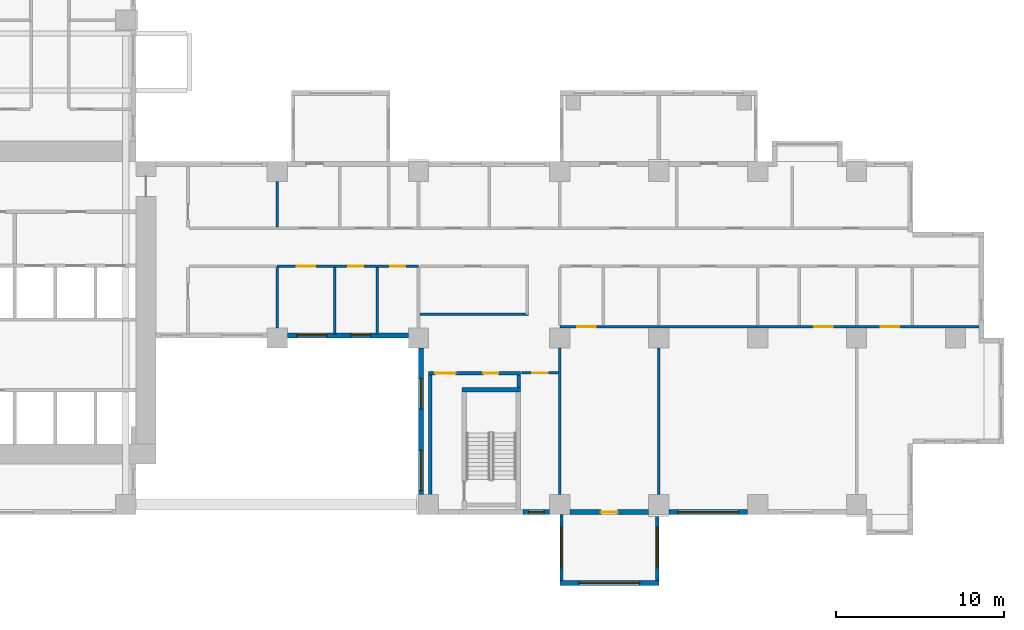
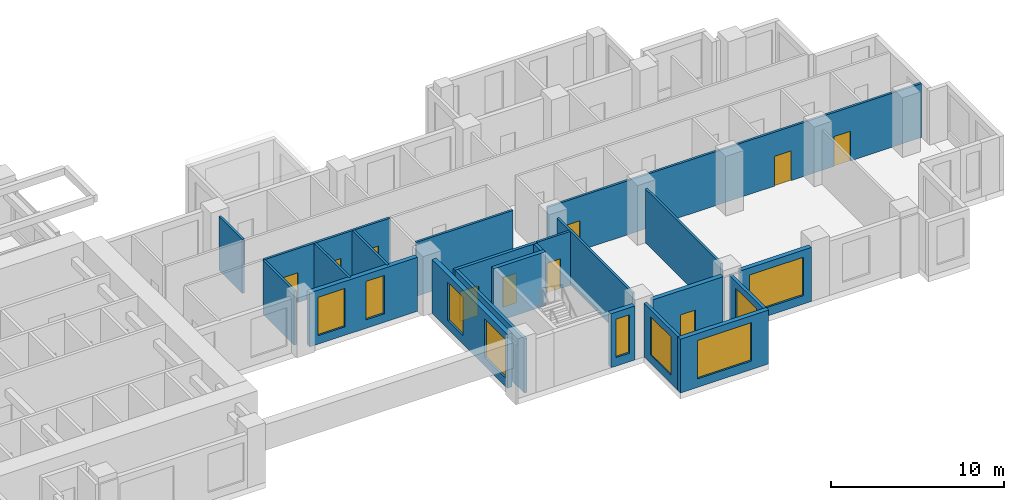
# One storey, part 4 of 14: 22 walls, 10 doors, 9 windows, 19 openings.
"""IFC4 building model written with IfcOpenShell, lengths in metres."""

from ifc_helpers import new_model, si_unit, direction, frame, frame_2d, origin, place, context, subcontext, project, spatial, rectangle, extrude, source, transform, mapped, material, layer, layer_set, type_object, element, fill, save


model = new_model("IFC4")

# Units and contexts
model_context = context("Model", 3, precision=1e-05, world=origin(), true_north=direction((0.0, 1.0)))
body_context = subcontext(model_context, "Body", "Model", "MODEL_VIEW")
ifc_project = project(units=[si_unit("LENGTHUNIT", "METRE"), si_unit("AREAUNIT", "SQUARE_METRE"), si_unit("VOLUMEUNIT", "CUBIC_METRE"), si_unit("PLANEANGLEUNIT", "RADIAN"), si_unit("MASSUNIT", "GRAM", prefix="KILO")], contexts=[model_context])

# Site, building, storey
site_placement = place(None, origin())
site = spatial("IfcSite", under=ifc_project, at=site_placement, CompositionType="ELEMENT")
building_placement = place(site_placement, origin())
building = spatial("IfcBuilding", under=site, at=building_placement, Name="Aurelian Terraces", CompositionType="ELEMENT")
storey_placement = place(building_placement, frame((0.0, 0.0, 57.3)))
storey = spatial("IfcBuildingStorey", under=building, at=storey_placement, Name="L11", CompositionType="ELEMENT", Elevation=57.3)

# Wall
ifc_material_1 = material(Name="Gypsum board on steel studs", Category="steel")
ifc_layer_1 = layer(ifc_material_1, 0.15)
ifc_layer_set_1 = layer_set([ifc_layer_1], Name="Partition 150")
wall_type_1 = type_object("IfcWallType", Name="Partition 150", PredefinedType="PARTITIONING", material=ifc_layer_set_1)
wall_1_placement = place(storey_placement, frame((29.4, 11.099, 0.0), z_axis=(0.0, 0.0, 1.0), x_axis=(0.0, 1.0, 0.0)))
element("IfcWall", 1, at=wall_1_placement, inside=storey, type_object=wall_type_1, Name="Partition", PredefinedType="PARTITIONING", context=body_context, shape_type="SweptSolid", body=[
    extrude(rectangle(XDim=3.601, YDim=0.15, at=frame_2d((1.8005, 0.0))), origin(), (0.0, 0.0, 1.0), 3.8),
])

# Wall, openings, windows
ifc_material_2 = material(Name="Terracotta rainscreen cladding", Category="masonry")
ifc_layer_2 = layer(ifc_material_2, 0.3)
ifc_layer_set_2 = layer_set([ifc_layer_2], Name="EW-300")
wall_type_2 = type_object("IfcWallType", Name="EW-300", PredefinedType="STANDARD", material=ifc_layer_set_2)
shared_shape_1 = source(origin(), body_context, "Body", "SweptSolid", [
    extrude(rectangle(XDim=7.2, YDim=0.3, at=frame_2d((3.6, 0.0))), origin(), (0.0, 0.0, 1.0), 3.8),
])
wall_2_placement = place(storey_placement, frame((30.0, 10.65, 0.0), z_axis=(0.0, 0.0, 1.0), x_axis=(1.0, 0.0, 0.0)))
wall_2 = element("IfcWall", 2, at=wall_2_placement, inside=storey, type_object=wall_type_2, Name="External wall L11 F03.7", PredefinedType="STANDARD", context=body_context, shape_type="MappedRepresentation", body=[
    mapped(shared_shape_1, transform((0.0, 0.0, 0.0), scale=1.0)),
])
shared_shape_2 = source(origin(), body_context, "Body", "SweptSolid", [
    extrude(rectangle(XDim=1.8, YDim=2.7, at=frame_2d((0.9, 1.35))), frame((0.0, 0.16, 0.0), z_axis=(0.0, -1.0, 0.0), x_axis=(1.0, 0.0, 0.0)), (0.0, 0.0, 1.0), 0.32),
])
opening_1_placement = place(wall_2_placement, frame((0.567, 0.0, 0.6)))
opening_1 = element("IfcOpeningElement", 3, at=opening_1_placement, cuts=wall_2, Name="Opening W1827", PredefinedType="OPENING", context=body_context, shape_type="MappedRepresentation", body=[
    mapped(shared_shape_2, transform((0.0, 0.0, 0.0), scale=1.0)),
])
shared_shape_3 = source(origin(), body_context, "Body", "SweptSolid", [
    extrude(rectangle(XDim=1.2, YDim=2.7, at=frame_2d((0.6, 1.35))), frame((0.0, 0.16, 0.0), z_axis=(0.0, -1.0, 0.0), x_axis=(1.0, 0.0, 0.0)), (0.0, 0.0, 1.0), 0.32),
])
opening_2_placement = place(wall_2_placement, frame((3.7737, 0.0, 0.6)))
opening_2 = element("IfcOpeningElement", 4, at=opening_2_placement, cuts=wall_2, Name="Opening W1227", PredefinedType="OPENING", context=body_context, shape_type="MappedRepresentation", body=[
    mapped(shared_shape_3, transform((0.0, 0.0, 0.0), scale=1.0)),
])
ifc_material_3 = material(Name="Clear glazing", Category="glass")
window_type_1 = type_object("IfcWindowType", Name="W-1800x2700", PartitioningType="SINGLE_PANEL", PredefinedType="WINDOW", material=ifc_material_3)
shared_shape_4 = source(origin(), body_context, "Body", "SweptSolid", [
    extrude(rectangle(XDim=1.8, YDim=2.7, at=frame_2d((0.9, 1.35))), frame((0.0, 0.03, 0.0), z_axis=(0.0, -1.0, 0.0), x_axis=(1.0, 0.0, 0.0)), (0.0, 0.0, 1.0), 0.06),
])
window_1_placement = place(opening_1_placement, origin())
window_1 = element("IfcWindow", 5, at=window_1_placement, inside=storey, type_object=window_type_1, Name="Window L11 L11-F03-07-0", OverallHeight=2.7, OverallWidth=1.8, PartitioningType="SINGLE_PANEL", PredefinedType="WINDOW", context=body_context, shape_type="MappedRepresentation", body=[
    mapped(shared_shape_4, transform((0.0, 0.0, 0.0), scale=1.0)),
])
fill(opening_1, window_1)
window_type_2 = type_object("IfcWindowType", Name="W-1200x2700", PartitioningType="SINGLE_PANEL", PredefinedType="WINDOW", material=ifc_material_3)
shared_shape_5 = source(origin(), body_context, "Body", "SweptSolid", [
    extrude(rectangle(XDim=1.2, YDim=2.7, at=frame_2d((0.6, 1.35))), frame((0.0, 0.03, 0.0), z_axis=(0.0, -1.0, 0.0), x_axis=(1.0, 0.0, 0.0)), (0.0, 0.0, 1.0), 0.06),
])
window_2_placement = place(opening_2_placement, origin())
window_2 = element("IfcWindow", 6, at=window_2_placement, inside=storey, type_object=window_type_2, Name="Window L11 L11-F03-07-G0-30", OverallHeight=2.7, OverallWidth=1.2, PartitioningType="SINGLE_PANEL", PredefinedType="WINDOW", context=body_context, shape_type="MappedRepresentation", body=[
    mapped(shared_shape_5, transform((0.0, 0.0, 0.0), scale=1.0)),
])
fill(opening_2, window_2)

# Wall, opening, door
shared_shape_6 = source(origin(), body_context, "Body", "SweptSolid", [
    extrude(rectangle(XDim=4.68, YDim=0.3, at=frame_2d((2.34, 0.0))), origin(), (0.0, 0.0, 1.0), 3.8),
])
wall_3_placement = place(storey_placement, frame((46.8, 0.15, 0.0), z_axis=(0.0, 0.0, 1.0), x_axis=(1.0, 0.0, 0.0)))
wall_3 = element("IfcWall", 7, at=wall_3_placement, inside=storey, type_object=wall_type_2, Name="External wall L11 F05.10", PredefinedType="STANDARD", context=body_context, shape_type="MappedRepresentation", body=[
    mapped(shared_shape_6, transform((0.0, 0.0, 0.0), scale=1.0)),
])
shared_shape_7 = source(origin(), body_context, "Body", "SweptSolid", [
    extrude(rectangle(XDim=1.0, YDim=2.1, at=frame_2d((0.5, 1.05))), frame((0.0, 0.16, 0.0), z_axis=(0.0, -1.0, 0.0), x_axis=(1.0, 0.0, 0.0)), (0.0, 0.0, 1.0), 0.32),
])
opening_3_placement = place(wall_3_placement, frame((1.84, 0.0, 0.0)))
opening_3 = element("IfcOpeningElement", 8, at=opening_3_placement, cuts=wall_3, Name="Opening 811002", PredefinedType="OPENING", context=body_context, shape_type="MappedRepresentation", body=[
    mapped(shared_shape_7, transform((0.0, 0.0, 0.0), scale=1.0)),
])
ifc_material_4 = material(Name="Timber door leaf", Category="wood")
door_type_1 = type_object("IfcDoorType", Name="Room door 1000x2100 left", OperationType="SINGLE_SWING_LEFT", PredefinedType="DOOR", material=ifc_material_4)
shared_shape_8 = source(origin(), body_context, "Body", "SweptSolid", [
    extrude(rectangle(XDim=1.0, YDim=2.1, at=frame_2d((0.5, 1.05))), frame((0.0, 0.025, 0.0), z_axis=(0.0, -1.0, 0.0), x_axis=(1.0, 0.0, 0.0)), (0.0, 0.0, 1.0), 0.05),
])
door_1_placement = place(opening_3_placement, origin())
door_1 = element("IfcDoor", 9, at=door_1_placement, inside=storey, type_object=door_type_1, Name="Door 811002", OperationType="SINGLE_SWING_LEFT", OverallHeight=2.1, OverallWidth=1.0, PredefinedType="DOOR", context=body_context, shape_type="MappedRepresentation", body=[
    mapped(shared_shape_8, transform((0.0, 0.0, 0.0), scale=1.0)),
])
fill(opening_3, door_1)

# Wall, opening, window
wall_4_placement = place(storey_placement, frame((52.68, 0.15, 0.0), z_axis=(0.0, 0.0, 1.0), x_axis=(1.0, 0.0, 0.0)))
wall_4 = element("IfcWall", 10, at=wall_4_placement, inside=storey, type_object=wall_type_2, Name="External wall L11 F05.11", PredefinedType="STANDARD", context=body_context, shape_type="MappedRepresentation", body=[
    mapped(shared_shape_6, transform((0.0, 0.0, 0.0), scale=1.0)),
])
shared_shape_9 = source(origin(), body_context, "Body", "SweptSolid", [
    extrude(rectangle(XDim=3.6, YDim=2.7, at=frame_2d((1.8, 1.35))), frame((0.0, 0.16, 0.0), z_axis=(0.0, -1.0, 0.0), x_axis=(1.0, 0.0, 0.0)), (0.0, 0.0, 1.0), 0.32),
])
opening_4_placement = place(wall_4_placement, frame((0.54, 0.0, 0.6)))
opening_4 = element("IfcOpeningElement", 11, at=opening_4_placement, cuts=wall_4, Name="Opening W3627", PredefinedType="OPENING", context=body_context, shape_type="MappedRepresentation", body=[
    mapped(shared_shape_9, transform((0.0, 0.0, 0.0), scale=1.0)),
])
window_type_3 = type_object("IfcWindowType", Name="W-3600x2700", PartitioningType="SINGLE_PANEL", PredefinedType="WINDOW", material=ifc_material_3)
shared_shape_10 = source(origin(), body_context, "Body", "SweptSolid", [
    extrude(rectangle(XDim=3.6, YDim=2.7, at=frame_2d((1.8, 1.35))), frame((0.0, 0.03, 0.0), z_axis=(0.0, -1.0, 0.0), x_axis=(1.0, 0.0, 0.0)), (0.0, 0.0, 1.0), 0.06),
])
window_3_placement = place(opening_4_placement, origin())
window_3 = element("IfcWindow", 12, at=window_3_placement, inside=storey, type_object=window_type_3, Name="Window L11 L11-F05-11-0", OverallHeight=2.7, OverallWidth=3.6, PartitioningType="SINGLE_PANEL", PredefinedType="WINDOW", context=body_context, shape_type="MappedRepresentation", body=[
    mapped(shared_shape_10, transform((0.0, 0.0, 0.0), scale=1.0)),
])
fill(opening_4, window_3)

shared_shape_11 = source(origin(), body_context, "Body", "SweptSolid", [
    extrude(rectangle(XDim=1.6, YDim=0.3, at=frame_2d((0.8, 0.0))), origin(), (0.0, 0.0, 1.0), 3.8),
])
wall_5_placement = place(storey_placement, frame((44.0, 0.15, 0.0), z_axis=(0.0, 0.0, 1.0), x_axis=(1.0, 0.0, 0.0)))
wall_5 = element("IfcWall", 13, at=wall_5_placement, inside=storey, type_object=wall_type_2, Name="External wall L11 F05.9", PredefinedType="STANDARD", context=body_context, shape_type="MappedRepresentation", body=[
    mapped(shared_shape_11, transform((0.0, 0.0, 0.0), scale=1.0)),
])
shared_shape_12 = source(origin(), body_context, "Body", "SweptSolid", [
    extrude(rectangle(XDim=0.9, YDim=2.7, at=frame_2d((0.45, 1.35))), frame((0.0, 0.16, 0.0), z_axis=(0.0, -1.0, 0.0), x_axis=(1.0, 0.0, 0.0)), (0.0, 0.0, 1.0), 0.32),
])
opening_5_placement = place(wall_5_placement, frame((0.35, 0.0, 0.6)))
opening_5 = element("IfcOpeningElement", 14, at=opening_5_placement, cuts=wall_5, Name="Opening W0927", PredefinedType="OPENING", context=body_context, shape_type="MappedRepresentation", body=[
    mapped(shared_shape_12, transform((0.0, 0.0, 0.0), scale=1.0)),
])
window_type_4 = type_object("IfcWindowType", Name="W-900x2700", PartitioningType="SINGLE_PANEL", PredefinedType="WINDOW", material=ifc_material_3)
shared_shape_13 = source(origin(), body_context, "Body", "SweptSolid", [
    extrude(rectangle(XDim=0.9, YDim=2.7, at=frame_2d((0.45, 1.35))), frame((0.0, 0.03, 0.0), z_axis=(0.0, -1.0, 0.0), x_axis=(1.0, 0.0, 0.0)), (0.0, 0.0, 1.0), 0.06),
])
window_4_placement = place(opening_5_placement, origin())
window_4 = element("IfcWindow", 15, at=window_4_placement, inside=storey, type_object=window_type_4, Name="Window L11 L11-F05-09-P2", OverallHeight=2.7, OverallWidth=0.9, PartitioningType="SINGLE_PANEL", PredefinedType="WINDOW", context=body_context, shape_type="MappedRepresentation", body=[
    mapped(shared_shape_13, transform((0.0, 0.0, 0.0), scale=1.0)),
])
fill(opening_5, window_4)

ifc_material_5 = material(Name="Concrete fc' 40 MPa", Category="concrete")
ifc_layer_3 = layer(ifc_material_5, 0.2)
ifc_layer_set_3 = layer_set([ifc_layer_3], Name="BOX BEARING WALL 200")
wall_type_3 = type_object("IfcWallType", Name="BOX BEARING WALL 200", PredefinedType="SOLIDWALL", material=ifc_layer_set_3)
shared_shape_14 = source(origin(), body_context, "Body", "SweptSolid", [
    extrude(rectangle(XDim=3.9, YDim=0.2, at=frame_2d((1.95, 0.0))), origin(), (0.0, 0.0, 1.0), 3.79),
])
wall_6_placement = place(storey_placement, frame((46.3, 0.0, 0.0), z_axis=(0.0, 0.0, 1.0), x_axis=(0.0, -1.0, 0.0)))
wall_6 = element("IfcWall", 16, at=wall_6_placement, inside=storey, type_object=wall_type_3, Name="Box return L11 J07.1", PredefinedType="SOLIDWALL", context=body_context, shape_type="MappedRepresentation", body=[
    mapped(shared_shape_14, transform((0.0, 0.0, 0.0), scale=1.0)),
])
shared_shape_15 = source(origin(), body_context, "Body", "SweptSolid", [
    extrude(rectangle(XDim=2.4, YDim=2.7, at=frame_2d((1.2, 1.35))), frame((0.0, 0.11, 0.0), z_axis=(0.0, -1.0, 0.0), x_axis=(1.0, 0.0, 0.0)), (0.0, 0.0, 1.0), 0.22),
])
opening_6_placement = place(wall_6_placement, frame((0.75, 0.0, 0.6)))
opening_6 = element("IfcOpeningElement", 17, at=opening_6_placement, cuts=wall_6, Name="Opening W2427", PredefinedType="OPENING", context=body_context, shape_type="MappedRepresentation", body=[
    mapped(shared_shape_15, transform((0.0, 0.0, 0.0), scale=1.0)),
])
window_type_5 = type_object("IfcWindowType", Name="W-2400x2700", PartitioningType="SINGLE_PANEL", PredefinedType="WINDOW", material=ifc_material_3)
shared_shape_16 = source(origin(), body_context, "Body", "SweptSolid", [
    extrude(rectangle(XDim=2.4, YDim=2.7, at=frame_2d((1.2, 1.35))), frame((0.0, 0.03, 0.0), z_axis=(0.0, -1.0, 0.0), x_axis=(1.0, 0.0, 0.0)), (0.0, 0.0, 1.0), 0.06),
])
window_5_placement = place(opening_6_placement, origin())
window_5 = element("IfcWindow", 18, at=window_5_placement, inside=storey, type_object=window_type_5, Name="Window L11 J07-S1", OverallHeight=2.7, OverallWidth=2.4, PartitioningType="SINGLE_PANEL", PredefinedType="WINDOW", context=body_context, shape_type="MappedRepresentation", body=[
    mapped(shared_shape_16, transform((0.0, 0.0, 0.0), scale=1.0)),
])
fill(opening_6, window_5)

wall_7_placement = place(storey_placement, frame((51.98, 0.0, 0.0), z_axis=(0.0, 0.0, 1.0), x_axis=(0.0, -1.0, 0.0)))
wall_7 = element("IfcWall", 19, at=wall_7_placement, inside=storey, type_object=wall_type_3, Name="Box return L11 J07.2", PredefinedType="SOLIDWALL", context=body_context, shape_type="MappedRepresentation", body=[
    mapped(shared_shape_14, transform((0.0, 0.0, 0.0), scale=1.0)),
])
opening_7_placement = place(wall_7_placement, frame((0.75, 0.0, 0.6)))
opening_7 = element("IfcOpeningElement", 20, at=opening_7_placement, cuts=wall_7, Name="Opening W2427", PredefinedType="OPENING", context=body_context, shape_type="MappedRepresentation", body=[
    mapped(shared_shape_15, transform((0.0, 0.0, 0.0), scale=1.0)),
])
window_6_placement = place(opening_7_placement, origin())
window_6 = element("IfcWindow", 21, at=window_6_placement, inside=storey, type_object=window_type_5, Name="Window L11 J07-S2", OverallHeight=2.7, OverallWidth=2.4, PartitioningType="SINGLE_PANEL", PredefinedType="WINDOW", context=body_context, shape_type="MappedRepresentation", body=[
    mapped(shared_shape_16, transform((0.0, 0.0, 0.0), scale=1.0)),
])
fill(opening_7, window_6)

ifc_layer_4 = layer(ifc_material_5, 0.3)
ifc_layer_set_4 = layer_set([ifc_layer_4], Name="BOX BEARING WALL 300")
wall_type_4 = type_object("IfcWallType", Name="BOX BEARING WALL 300", PredefinedType="SOLIDWALL", material=ifc_layer_set_4)
shared_shape_17 = source(origin(), body_context, "Body", "SweptSolid", [
    extrude(rectangle(XDim=5.88, YDim=0.3, at=frame_2d((2.94, 0.0))), origin(), (0.0, 0.0, 1.0), 3.79),
])
wall_8_placement = place(storey_placement, frame((46.2, -4.05, 0.0), z_axis=(0.0, 0.0, 1.0), x_axis=(1.0, 0.0, 0.0)))
wall_8 = element("IfcWall", 22, at=wall_8_placement, inside=storey, type_object=wall_type_4, Name="Box wall L11 J07", PredefinedType="SOLIDWALL", context=body_context, shape_type="MappedRepresentation", body=[
    mapped(shared_shape_17, transform((0.0, 0.0, 0.0), scale=1.0)),
])
opening_8_placement = place(wall_8_placement, frame((1.14, 0.0, 0.6)))
opening_8 = element("IfcOpeningElement", 23, at=opening_8_placement, cuts=wall_8, Name="Opening W3627", PredefinedType="OPENING", context=body_context, shape_type="MappedRepresentation", body=[
    mapped(shared_shape_9, transform((0.0, 0.0, 0.0), scale=1.0)),
])
window_7_placement = place(opening_8_placement, origin())
window_7 = element("IfcWindow", 24, at=window_7_placement, inside=storey, type_object=window_type_3, Name="Window L11 J07-F1", OverallHeight=2.7, OverallWidth=3.6, PartitioningType="SINGLE_PANEL", PredefinedType="WINDOW", context=body_context, shape_type="MappedRepresentation", body=[
    mapped(shared_shape_10, transform((0.0, 0.0, 0.0), scale=1.0)),
])
fill(opening_8, window_7)

# Wall, openings, windows
shared_shape_18 = source(origin(), body_context, "Body", "SweptSolid", [
    extrude(rectangle(XDim=8.7, YDim=0.3, at=frame_2d((4.35, 0.0))), origin(), (0.0, 0.0, 1.0), 3.8),
])
wall_9_placement = place(storey_placement, frame((37.95, 9.9, 0.0), z_axis=(0.0, 0.0, 1.0), x_axis=(0.0, -1.0, 0.0)))
wall_9 = element("IfcWall", 25, at=wall_9_placement, inside=storey, type_object=wall_type_2, Name="External wall L11 F04.8", PredefinedType="STANDARD", context=body_context, shape_type="MappedRepresentation", body=[
    mapped(shared_shape_18, transform((0.0, 0.0, 0.0), scale=1.0)),
])
opening_9_placement = place(wall_9_placement, frame((1.8125, 0.0, 0.6)))
opening_9 = element("IfcOpeningElement", 26, at=opening_9_placement, cuts=wall_9, Name="Opening W1827", PredefinedType="OPENING", context=body_context, shape_type="MappedRepresentation", body=[
    mapped(shared_shape_2, transform((0.0, 0.0, 0.0), scale=1.0)),
])
shared_shape_19 = source(origin(), body_context, "Body", "SweptSolid", [
    extrude(rectangle(XDim=2.4, YDim=2.7, at=frame_2d((1.2, 1.35))), frame((0.0, 0.16, 0.0), z_axis=(0.0, -1.0, 0.0), x_axis=(1.0, 0.0, 0.0)), (0.0, 0.0, 1.0), 0.32),
])
opening_10_placement = place(wall_9_placement, frame((6.075, 0.0, 0.6)))
opening_10 = element("IfcOpeningElement", 27, at=opening_10_placement, cuts=wall_9, Name="Opening W2427", PredefinedType="OPENING", context=body_context, shape_type="MappedRepresentation", body=[
    mapped(shared_shape_19, transform((0.0, 0.0, 0.0), scale=1.0)),
])
window_8_placement = place(opening_10_placement, origin())
window_8 = element("IfcWindow", 28, at=window_8_placement, inside=storey, type_object=window_type_5, Name="Window L11 L11-F04-08-1", OverallHeight=2.7, OverallWidth=2.4, PartitioningType="SINGLE_PANEL", PredefinedType="WINDOW", context=body_context, shape_type="MappedRepresentation", body=[
    mapped(shared_shape_16, transform((0.0, 0.0, 0.0), scale=1.0)),
])
fill(opening_10, window_8)
window_9_placement = place(opening_9_placement, origin())
window_9 = element("IfcWindow", 29, at=window_9_placement, inside=storey, type_object=window_type_1, Name="Window L11 L11-F04-08-0", OverallHeight=2.7, OverallWidth=1.8, PartitioningType="SINGLE_PANEL", PredefinedType="WINDOW", context=body_context, shape_type="MappedRepresentation", body=[
    mapped(shared_shape_4, transform((0.0, 0.0, 0.0), scale=1.0)),
])
fill(opening_9, window_9)

# Walls
ifc_layer_5 = layer(ifc_material_5, 0.25)
ifc_layer_set_5 = layer_set([ifc_layer_5], Name="Stair enclosure wall 250")
wall_type_5 = type_object("IfcWallType", Name="Stair enclosure wall 250", PredefinedType="SOLIDWALL", material=ifc_layer_set_5)
shared_shape_20 = source(origin(), body_context, "Body", "SweptSolid", [
    extrude(rectangle(XDim=3.45, YDim=0.25, at=frame_2d((1.725, 0.0))), origin(), (0.0, 0.0, 1.0), 3.8),
])
wall_10_placement = place(storey_placement, frame((40.4, 7.425, 0.0), z_axis=(0.0, 0.0, 1.0), x_axis=(1.0, 0.0, 0.0)))
element("IfcWall", 30, at=wall_10_placement, inside=storey, type_object=wall_type_5, Name="L11 core wall ST-S2-N", PredefinedType="SOLIDWALL", context=body_context, shape_type="MappedRepresentation", body=[
    mapped(shared_shape_20, transform((0.0, 0.0, 0.0), scale=1.0)),
])
ifc_layer_6 = layer(ifc_material_1, 0.2)
ifc_layer_set_6 = layer_set([ifc_layer_6], Name="Core partition 200")
wall_type_6 = type_object("IfcWallType", Name="Core partition 200", PredefinedType="PARTITIONING", material=ifc_layer_set_6)
shared_shape_21 = source(origin(), body_context, "Body", "SweptSolid", [
    extrude(rectangle(XDim=8.0, YDim=0.2, at=frame_2d((4.0, 0.0))), origin(), (0.0, 0.0, 1.0), 3.8),
])
wall_11_placement = place(storey_placement, frame((38.5, 0.3, 0.0), z_axis=(0.0, 0.0, 1.0), x_axis=(0.0, 1.0, 0.0)))
element("IfcWall", 31, at=wall_11_placement, inside=storey, type_object=wall_type_6, Name="L11 core wall ST-S2-VW", PredefinedType="PARTITIONING", context=body_context, shape_type="MappedRepresentation", body=[
    mapped(shared_shape_21, transform((0.0, 0.0, 0.0), scale=1.0)),
])

# Wall, openings, doors
shared_shape_22 = source(origin(), body_context, "Body", "SweptSolid", [
    extrude(rectangle(XDim=5.45, YDim=0.2, at=frame_2d((2.725, 0.0))), origin(), (0.0, 0.0, 1.0), 3.8),
])
wall_12_placement = place(storey_placement, frame((38.4, 8.4, 0.0), z_axis=(0.0, 0.0, 1.0), x_axis=(1.0, 0.0, 0.0)))
wall_12 = element("IfcWall", 32, at=wall_12_placement, inside=storey, type_object=wall_type_6, Name="L11 core wall ST-S2-BN", PredefinedType="PARTITIONING", context=body_context, shape_type="MappedRepresentation", body=[
    mapped(shared_shape_22, transform((0.0, 0.0, 0.0), scale=1.0)),
])
shared_shape_23 = source(origin(), body_context, "Body", "SweptSolid", [
    extrude(rectangle(XDim=1.2, YDim=2.1, at=frame_2d((0.6, 1.05))), frame((0.0, 0.11, 0.0), z_axis=(0.0, -1.0, 0.0), x_axis=(1.0, 0.0, 0.0)), (0.0, 0.0, 1.0), 0.22),
])
opening_11_placement = place(wall_12_placement, frame((0.4, 0.0, 0.0)))
opening_11 = element("IfcOpeningElement", 33, at=opening_11_placement, cuts=wall_12, Name="Opening 61415", PredefinedType="OPENING", context=body_context, shape_type="MappedRepresentation", body=[
    mapped(shared_shape_23, transform((0.0, 0.0, 0.0), scale=1.0)),
])
shared_shape_24 = source(origin(), body_context, "Body", "SweptSolid", [
    extrude(rectangle(XDim=0.9, YDim=2.1, at=frame_2d((0.45, 1.05))), frame((0.0, 0.11, 0.0), z_axis=(0.0, -1.0, 0.0), x_axis=(1.0, 0.0, 0.0)), (0.0, 0.0, 1.0), 0.22),
])
opening_12_placement = place(wall_12_placement, frame((3.25, 0.0, 0.0)))
opening_12 = element("IfcOpeningElement", 34, at=opening_12_placement, cuts=wall_12, Name="Opening 61416", PredefinedType="OPENING", context=body_context, shape_type="MappedRepresentation", body=[
    mapped(shared_shape_24, transform((0.0, 0.0, 0.0), scale=1.0)),
])
ifc_material_6 = material(Name="Steel door leaf", Category="steel")
door_type_2 = type_object("IfcDoorType", Name="Core riser door 900x2100", OperationType="SINGLE_SWING_LEFT", PredefinedType="DOOR", material=ifc_material_6)
shared_shape_25 = source(origin(), body_context, "Body", "SweptSolid", [
    extrude(rectangle(XDim=0.9, YDim=2.1, at=frame_2d((0.45, 1.05))), frame((0.0, 0.025, 0.0), z_axis=(0.0, -1.0, 0.0), x_axis=(1.0, 0.0, 0.0)), (0.0, 0.0, 1.0), 0.05),
])
door_2_placement = place(opening_12_placement, origin())
door_2 = element("IfcDoor", 35, at=door_2_placement, inside=storey, type_object=door_type_2, Name="Riser door 61416", OperationType="SINGLE_SWING_LEFT", OverallHeight=2.1, OverallWidth=0.9, PredefinedType="DOOR", context=body_context, shape_type="MappedRepresentation", body=[
    mapped(shared_shape_25, transform((0.0, 0.0, 0.0), scale=1.0)),
])
fill(opening_12, door_2)
door_type_3 = type_object("IfcDoorType", Name="Core fire door 1200x2100 right", OperationType="SINGLE_SWING_RIGHT", PredefinedType="DOOR", material=ifc_material_6)
shared_shape_26 = source(origin(), body_context, "Body", "SweptSolid", [
    extrude(rectangle(XDim=1.2, YDim=2.1, at=frame_2d((0.6, 1.05))), frame((0.0, 0.025, 0.0), z_axis=(0.0, -1.0, 0.0), x_axis=(1.0, 0.0, 0.0)), (0.0, 0.0, 1.0), 0.05),
])
door_3_placement = place(opening_11_placement, origin())
door_3 = element("IfcDoor", 36, at=door_3_placement, inside=storey, type_object=door_type_3, Name="Vestibule door 61415", OperationType="SINGLE_SWING_RIGHT", OverallHeight=2.1, OverallWidth=1.2, PredefinedType="DOOR", context=body_context, shape_type="MappedRepresentation", body=[
    mapped(shared_shape_26, transform((0.0, 0.0, 0.0), scale=1.0)),
])
fill(opening_11, door_3)

# Walls
shared_shape_27 = source(origin(), body_context, "Body", "SweptSolid", [
    extrude(rectangle(XDim=0.75, YDim=0.2, at=frame_2d((0.375, 0.0))), origin(), (0.0, 0.0, 1.0), 3.8),
])
wall_13_placement = place(storey_placement, frame((43.75, 7.55, 0.0), z_axis=(0.0, 0.0, 1.0), x_axis=(0.0, 1.0, 0.0)))
element("IfcWall", 37, at=wall_13_placement, inside=storey, type_object=wall_type_6, Name="L11 core wall ST-S2-RE", PredefinedType="PARTITIONING", context=body_context, shape_type="MappedRepresentation", body=[
    mapped(shared_shape_27, transform((0.0, 0.0, 0.0), scale=1.0)),
])
shared_shape_28 = source(origin(), body_context, "Body", "SweptSolid", [
    extrude(rectangle(XDim=6.45, YDim=0.15, at=frame_2d((3.225, 0.0))), origin(), (0.0, 0.0, 1.0), 3.8),
])
wall_14_placement = place(storey_placement, frame((37.875, 11.9, 0.0), z_axis=(0.0, 0.0, 1.0), x_axis=(1.0, 0.0, 0.0)))
element("IfcWall", 38, at=wall_14_placement, inside=storey, type_object=wall_type_1, Name="Partition", PredefinedType="PARTITIONING", context=body_context, shape_type="MappedRepresentation", body=[
    mapped(shared_shape_28, transform((0.0, 0.0, 0.0), scale=1.0)),
])
shared_shape_29 = source(origin(), body_context, "Body", "SweptSolid", [
    extrude(rectangle(XDim=8.702, YDim=0.15, at=frame_2d((4.351, 0.0))), origin(), (0.0, 0.0, 1.0), 3.8),
])
for number, where, z_axis, x_axis, name in (
    (39, (46.2, 1.199, 0.0), (0.0, 0.0, 1.0), (0.0, 1.0, 0.0), "Partition"),
    (40, (52.08, 1.199, 0.0), (0.0, 0.0, 1.0), (0.0, 1.0, 0.0), "Partition"),
):
    element("IfcWall", number, at=place(storey_placement, frame(where, z_axis=z_axis, x_axis=x_axis)), inside=storey, type_object=wall_type_1, Name=name, PredefinedType="PARTITIONING", context=body_context, shape_type="MappedRepresentation", body=[
        mapped(shared_shape_29, transform((0.0, 0.0, 0.0), scale=1.0)),
    ])
shared_shape_30 = source(origin(), body_context, "Body", "SweptSolid", [
    extrude(rectangle(XDim=2.701, YDim=0.15, at=frame_2d((1.3505, 0.0))), origin(), (0.0, 0.0, 1.0), 3.8),
])
wall_15_placement = place(storey_placement, frame((29.4, 17.1, 0.0), z_axis=(0.0, 0.0, 1.0), x_axis=(0.0, 1.0, 0.0)))
element("IfcWall", 41, at=wall_15_placement, inside=storey, type_object=wall_type_1, Name="Partition", PredefinedType="PARTITIONING", context=body_context, shape_type="MappedRepresentation", body=[
    mapped(shared_shape_30, transform((0.0, 0.0, 0.0), scale=1.0)),
])

# Wall, openings, doors
ifc_layer_7 = layer(ifc_material_1, 0.15)
ifc_layer_set_7 = layer_set([ifc_layer_7], Name="Fire partition 150")
wall_type_7 = type_object("IfcWallType", Name="Fire partition 150", PredefinedType="PARTITIONING", material=ifc_layer_set_7)
shared_shape_31 = source(origin(), body_context, "Body", "SweptSolid", [
    extrude(rectangle(XDim=8.4, YDim=0.15, at=frame_2d((4.2, 0.0))), origin(), (0.0, 0.0, 1.0), 3.8),
])
wall_16_placement = place(storey_placement, frame((37.8, 14.775, 0.0), z_axis=(0.0, 0.0, 1.0), x_axis=(-1.0, 0.0, 0.0)))
wall_16 = element("IfcWall", 42, at=wall_16_placement, inside=storey, type_object=wall_type_7, Name="Corridor wall", PredefinedType="PARTITIONING", context=body_context, shape_type="MappedRepresentation", body=[
    mapped(shared_shape_31, transform((0.0, 0.0, 0.0), scale=1.0)),
])
shared_shape_32 = source(origin(), body_context, "Body", "SweptSolid", [
    extrude(rectangle(XDim=1.1, YDim=2.1, at=frame_2d((0.55, 1.05))), frame((0.0, 0.085, 0.0), z_axis=(0.0, -1.0, 0.0), x_axis=(1.0, 0.0, 0.0)), (0.0, 0.0, 1.0), 0.17),
])
opening_13_placement = place(wall_16_placement, frame((6.1456, 0.0, 0.0)))
opening_13 = element("IfcOpeningElement", 43, at=opening_13_placement, cuts=wall_16, Name="Opening 711005", PredefinedType="OPENING", context=body_context, shape_type="MappedRepresentation", body=[
    mapped(shared_shape_32, transform((0.0, 0.0, 0.0), scale=1.0)),
])
shared_shape_33 = source(origin(), body_context, "Body", "SweptSolid", [
    extrude(rectangle(XDim=0.9, YDim=2.1, at=frame_2d((0.45, 1.05))), frame((0.0, 0.085, 0.0), z_axis=(0.0, -1.0, 0.0), x_axis=(1.0, 0.0, 0.0)), (0.0, 0.0, 1.0), 0.17),
])
opening_14_placement = place(wall_16_placement, frame((3.2762, 0.0, 0.0)))
opening_14 = element("IfcOpeningElement", 44, at=opening_14_placement, cuts=wall_16, Name="Opening 711006", PredefinedType="OPENING", context=body_context, shape_type="MappedRepresentation", body=[
    mapped(shared_shape_33, transform((0.0, 0.0, 0.0), scale=1.0)),
])
opening_15_placement = place(wall_16_placement, frame((0.7806, 0.0, 0.0)))
opening_15 = element("IfcOpeningElement", 45, at=opening_15_placement, cuts=wall_16, Name="Opening 711007", PredefinedType="OPENING", context=body_context, shape_type="MappedRepresentation", body=[
    mapped(shared_shape_33, transform((0.0, 0.0, 0.0), scale=1.0)),
])
door_type_4 = type_object("IfcDoorType", Name="Room door 900x2100 left", OperationType="SINGLE_SWING_LEFT", PredefinedType="DOOR", material=ifc_material_4)
door_4_placement = place(opening_14_placement, origin())
door_4 = element("IfcDoor", 46, at=door_4_placement, inside=storey, type_object=door_type_4, Name="Door 711006", OperationType="SINGLE_SWING_LEFT", OverallHeight=2.1, OverallWidth=0.9, PredefinedType="DOOR", context=body_context, shape_type="MappedRepresentation", body=[
    mapped(shared_shape_25, transform((0.0, 0.0, 0.0), scale=1.0)),
])
fill(opening_14, door_4)
door_type_5 = type_object("IfcDoorType", Name="Room door 900x2100 right", OperationType="SINGLE_SWING_RIGHT", PredefinedType="DOOR", material=ifc_material_4)
door_5_placement = place(opening_15_placement, origin())
door_5 = element("IfcDoor", 47, at=door_5_placement, inside=storey, type_object=door_type_5, Name="Door 711007", OperationType="SINGLE_SWING_RIGHT", OverallHeight=2.1, OverallWidth=0.9, PredefinedType="DOOR", context=body_context, shape_type="MappedRepresentation", body=[
    mapped(shared_shape_25, transform((0.0, 0.0, 0.0), scale=1.0)),
])
fill(opening_15, door_5)
door_type_6 = type_object("IfcDoorType", Name="Room door 1100x2100 left", OperationType="SINGLE_SWING_LEFT", PredefinedType="DOOR", material=ifc_material_4)
shared_shape_34 = source(origin(), body_context, "Body", "SweptSolid", [
    extrude(rectangle(XDim=1.1, YDim=2.1, at=frame_2d((0.55, 1.05))), frame((0.0, 0.025, 0.0), z_axis=(0.0, -1.0, 0.0), x_axis=(1.0, 0.0, 0.0)), (0.0, 0.0, 1.0), 0.05),
])
door_6_placement = place(opening_13_placement, origin())
door_6 = element("IfcDoor", 48, at=door_6_placement, inside=storey, type_object=door_type_6, Name="Door 711005", OperationType="SINGLE_SWING_LEFT", OverallHeight=2.1, OverallWidth=1.1, PredefinedType="DOOR", context=body_context, shape_type="MappedRepresentation", body=[
    mapped(shared_shape_34, transform((0.0, 0.0, 0.0), scale=1.0)),
])
fill(opening_13, door_6)

shared_shape_35 = source(origin(), body_context, "Body", "SweptSolid", [
    extrude(rectangle(XDim=24.9, YDim=0.15, at=frame_2d((12.45, 0.0))), origin(), (0.0, 0.0, 1.0), 3.8),
])
wall_17_placement = place(storey_placement, frame((71.1, 11.175, 0.0), z_axis=(0.0, 0.0, 1.0), x_axis=(-1.0, 0.0, 0.0)))
wall_17 = element("IfcWall", 49, at=wall_17_placement, inside=storey, type_object=wall_type_1, Name="Partition", PredefinedType="PARTITIONING", context=body_context, shape_type="MappedRepresentation", body=[
    mapped(shared_shape_35, transform((0.0, 0.0, 0.0), scale=1.0)),
])
opening_16_placement = place(wall_17_placement, frame((22.7533, 0.0, 0.0)))
opening_16 = element("IfcOpeningElement", 50, at=opening_16_placement, cuts=wall_17, Name="Opening 711009", PredefinedType="OPENING", context=body_context, shape_type="MappedRepresentation", body=[
    mapped(shared_shape_32, transform((0.0, 0.0, 0.0), scale=1.0)),
])
opening_17_placement = place(wall_17_placement, frame((8.6827, 0.0, 0.0)))
opening_17 = element("IfcOpeningElement", 51, at=opening_17_placement, cuts=wall_17, Name="Opening 711012", PredefinedType="OPENING", context=body_context, shape_type="MappedRepresentation", body=[
    mapped(shared_shape_32, transform((0.0, 0.0, 0.0), scale=1.0)),
])
opening_18_placement = place(wall_17_placement, frame((4.7383, 0.0, 0.0)))
opening_18 = element("IfcOpeningElement", 52, at=opening_18_placement, cuts=wall_17, Name="Opening 711016", PredefinedType="OPENING", context=body_context, shape_type="MappedRepresentation", body=[
    mapped(shared_shape_32, transform((0.0, 0.0, 0.0), scale=1.0)),
])
door_type_7 = type_object("IfcDoorType", Name="Room door 1100x2100 right", OperationType="SINGLE_SWING_RIGHT", PredefinedType="DOOR", material=ifc_material_4)
door_7_placement = place(opening_16_placement, origin())
door_7 = element("IfcDoor", 53, at=door_7_placement, inside=storey, type_object=door_type_7, Name="Door 711009", OperationType="SINGLE_SWING_RIGHT", OverallHeight=2.1, OverallWidth=1.1, PredefinedType="DOOR", context=body_context, shape_type="MappedRepresentation", body=[
    mapped(shared_shape_34, transform((0.0, 0.0, 0.0), scale=1.0)),
])
fill(opening_16, door_7)
door_8_placement = place(opening_17_placement, origin())
door_8 = element("IfcDoor", 54, at=door_8_placement, inside=storey, type_object=door_type_7, Name="Door 711012", OperationType="SINGLE_SWING_RIGHT", OverallHeight=2.1, OverallWidth=1.1, PredefinedType="DOOR", context=body_context, shape_type="MappedRepresentation", body=[
    mapped(shared_shape_34, transform((0.0, 0.0, 0.0), scale=1.0)),
])
fill(opening_17, door_8)
door_9_placement = place(opening_18_placement, origin())
door_9 = element("IfcDoor", 55, at=door_9_placement, inside=storey, type_object=door_type_7, Name="Door 711016", OperationType="SINGLE_SWING_RIGHT", OverallHeight=2.1, OverallWidth=1.1, PredefinedType="DOOR", context=body_context, shape_type="MappedRepresentation", body=[
    mapped(shared_shape_34, transform((0.0, 0.0, 0.0), scale=1.0)),
])
fill(opening_18, door_9)

# Wall, opening, door
shared_shape_36 = source(origin(), body_context, "Body", "SweptSolid", [
    extrude(rectangle(XDim=2.2, YDim=0.15, at=frame_2d((1.1, 0.0))), origin(), (0.0, 0.0, 1.0), 3.8),
])
wall_18_placement = place(storey_placement, frame((46.125, 8.425, 0.0), z_axis=(0.0, 0.0, 1.0), x_axis=(-1.0, 0.0, 0.0)))
wall_18 = element("IfcWall", 56, at=wall_18_placement, inside=storey, type_object=wall_type_1, Name="Partition", PredefinedType="PARTITIONING", context=body_context, shape_type="MappedRepresentation", body=[
    mapped(shared_shape_36, transform((0.0, 0.0, 0.0), scale=1.0)),
])
opening_19_placement = place(wall_18_placement, frame((0.65, 0.0, 0.0)))
opening_19 = element("IfcOpeningElement", 57, at=opening_19_placement, cuts=wall_18, Name="Opening 711004", PredefinedType="OPENING", context=body_context, shape_type="MappedRepresentation", body=[
    mapped(shared_shape_33, transform((0.0, 0.0, 0.0), scale=1.0)),
])
door_10_placement = place(opening_19_placement, origin())
door_10 = element("IfcDoor", 58, at=door_10_placement, inside=storey, type_object=door_type_5, Name="Door 711004", OperationType="SINGLE_SWING_RIGHT", OverallHeight=2.1, OverallWidth=0.9, PredefinedType="DOOR", context=body_context, shape_type="MappedRepresentation", body=[
    mapped(shared_shape_25, transform((0.0, 0.0, 0.0), scale=1.0)),
])
fill(opening_19, door_10)

# Walls
shared_shape_37 = source(origin(), body_context, "Body", "SweptSolid", [
    extrude(rectangle(XDim=3.995, YDim=0.15, at=frame_2d((1.9975, 0.0))), origin(), (0.0, 0.0, 1.0), 3.8),
])
for number, where, z_axis, x_axis, name in (
    (59, (32.8088, 10.705, 0.0), (0.0, 0.0, 1.0), (0.0, 1.0, 0.0), "Partition"),
    (60, (35.3388, 10.705, 0.0), (0.0, 0.0, 1.0), (0.0, 1.0, 0.0), "Partition"),
):
    element("IfcWall", number, at=place(storey_placement, frame(where, z_axis=z_axis, x_axis=x_axis)), inside=storey, type_object=wall_type_1, Name=name, PredefinedType="PARTITIONING", context=body_context, shape_type="MappedRepresentation", body=[
        mapped(shared_shape_37, transform((0.0, 0.0, 0.0), scale=1.0)),
    ])

save(model, "model.ifc")
